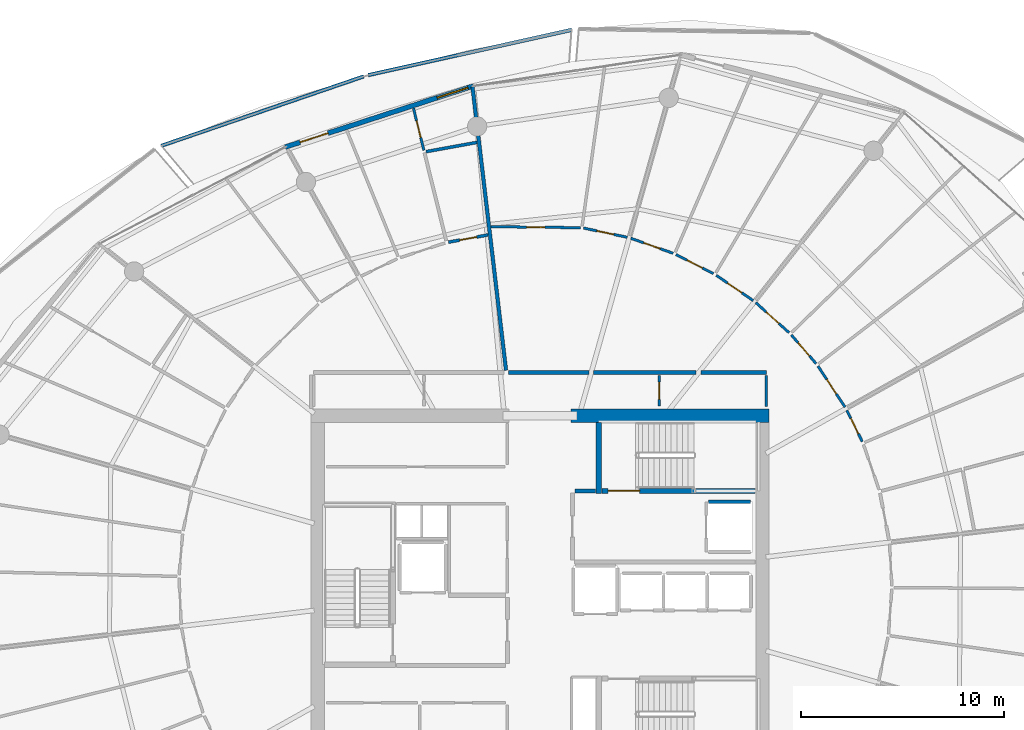
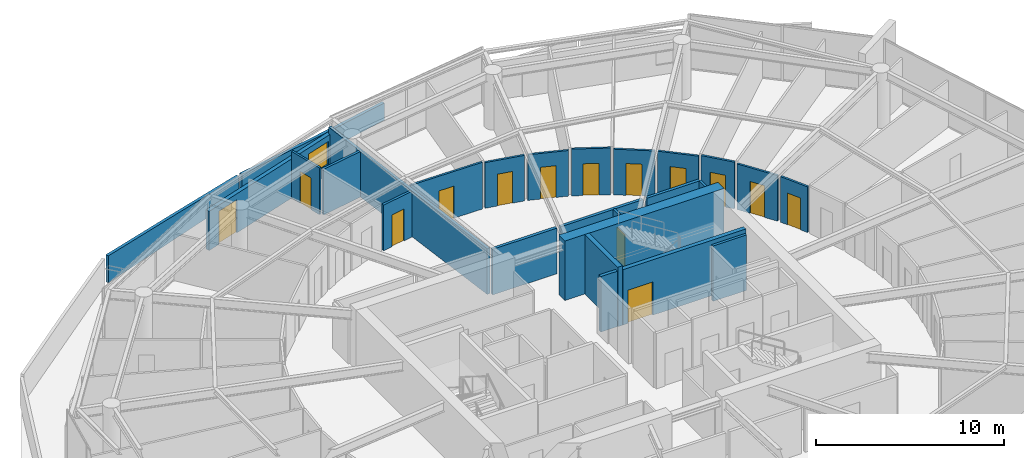
# One storey, part 22 of 30: 26 walls, 14 doors, 1 window, 15 openings.
"""IFC4 building model written with IfcOpenShell, lengths in metres."""

from ifc_helpers import new_model, si_unit, direction, frame, frame_2d, origin, place, context, subcontext, project, spatial, polyline, rectangle, outline, extrude, material, layer, layer_set, type_object, element, fill, save


model = new_model("IFC4")

# Units and contexts
model_context = context("Model", 3, precision=1e-05, world=origin(), true_north=direction((0.0, 1.0)))
body_context = subcontext(model_context, "Body", "Model", "MODEL_VIEW")
ifc_project = project(units=[si_unit("LENGTHUNIT", "METRE"), si_unit("AREAUNIT", "SQUARE_METRE"), si_unit("VOLUMEUNIT", "CUBIC_METRE"), si_unit("PLANEANGLEUNIT", "RADIAN"), si_unit("MASSUNIT", "GRAM", prefix="KILO")], contexts=[model_context])

# Site, building, storey
site_placement = place(None, origin())
site = spatial("IfcSite", under=ifc_project, at=site_placement, CompositionType="ELEMENT")
building_placement = place(site_placement, origin())
building = spatial("IfcBuilding", under=site, at=building_placement, Name="Kazma Halo Residences", CompositionType="ELEMENT")
storey_placement = place(building_placement, frame((0.0, 0.0, 267.5)))
storey = spatial("IfcBuildingStorey", under=building, at=storey_placement, Name="L67", CompositionType="ELEMENT", Elevation=267.5)

# Walls
ifc_material_1 = material(Name="White Concrete C50/60 Balustrade", Category="concrete")
ifc_layer_1 = layer(ifc_material_1, 0.179931640625)
ifc_layer_set_1 = layer_set([ifc_layer_1], Name="White Concrete C50/60 Balustrade")
wall_type_1 = type_object("IfcWallType", Name="WL-BAL-WAVE-180", PredefinedType="PARAPET", material=ifc_layer_set_1)
wall_1_placement = place(storey_placement, frame((49.98291015625, 69.327392578125, 0.0), z_axis=(0.0, 0.0, 1.0), x_axis=(-0.976130464401, -0.217184982143, 0.0)))
element("IfcWall", 1, at=wall_1_placement, inside=storey, type_object=wall_type_1, Name="L67 white wave balustrade wall NNW.1", PredefinedType="PARAPET", context=body_context, shape_type="SweptSolid", body=[
    extrude(outline(polyline([(0.0, 0.0), (10.257568359375, 0.0), (10.25732421875, 1.347900390625), (5.128662109375, 1.181884765625), (0.0, 1.1201171875), (0.0, 0.0)])), frame((0.0, 0.08984375, 0.0), z_axis=(0.0, -1.0, 0.0), x_axis=(1.0, 0.0, 0.0)), (0.0, 0.0, 1.0), 0.179931640625),
])
wall_2_placement = place(storey_placement, frame((39.73974609375, 67.034423828125, 0.0), z_axis=(0.0, 0.0, 1.0), x_axis=(-0.945994037051, -0.32418402469, 0.0)))
element("IfcWall", 2, at=wall_2_placement, inside=storey, type_object=wall_type_1, Name="L67 white wave balustrade wall NNW.2", PredefinedType="PARAPET", context=body_context, shape_type="SweptSolid", body=[
    extrude(outline(polyline([(0.0, 0.0), (10.5439453125, 0.0), (10.5439453125, 1.7470703125), (5.27197265625, 1.56201171875), (0.0, 1.347900390625), (0.0, 0.0)])), frame((0.0, 0.08984375, 0.0), z_axis=(0.0, -1.0, 0.0), x_axis=(1.0, 0.0, 0.0)), (0.0, 0.0, 1.0), 0.179931640625),
])
ifc_material_2 = material(Name="Concrete C60/75", Category="concrete")
ifc_layer_2 = layer(ifc_material_2, 0.64990234375)
ifc_layer_set_2 = layer_set([ifc_layer_2], Name="Concrete C60/75")
wall_type_2 = type_object("IfcWallType", Name="WL-CORE-650", PredefinedType="SHEAR", material=ifc_layer_set_2)
wall_3_placement = place(storey_placement, frame((49.949951171875, 50.324951171875, 0.0), z_axis=(0.0, 0.0, 1.0), x_axis=(1.0, 0.0, 0.0)))
element("IfcWall", 3, at=wall_3_placement, inside=storey, type_object=wall_type_2, Name="L67 central core shear wall NE", PredefinedType="SHEAR", context=body_context, shape_type="SweptSolid", body=[
    extrude(rectangle(XDim=9.75, YDim=0.64990234375, at=frame_2d((4.875, 0.0))), origin(), (0.0, 0.0, 1.0), 3.85009765625),
])
ifc_layer_3 = layer(ifc_material_2, 0.280029296875)
ifc_layer_set_3 = layer_set([ifc_layer_3], Name="Concrete C60/75")
wall_type_3 = type_object("IfcWallType", Name="WL-CORE-ST-280", PredefinedType="SHEAR", material=ifc_layer_set_3)
wall_4_placement = place(storey_placement, frame((51.31005859375, 46.5, 0.0), z_axis=(0.0, 0.0, 1.0), x_axis=(0.0, 1.0, 0.0)))
element("IfcWall", 4, at=wall_4_placement, inside=storey, type_object=wall_type_3, Name="L67 stairwell bearing wall ST02-W", PredefinedType="SHEAR", context=body_context, shape_type="SweptSolid", body=[
    extrude(rectangle(XDim=3.5, YDim=0.280029296875, at=frame_2d((1.75, 0.0))), origin(), (0.0, 0.0, 1.0), 3.85009765625),
])
ifc_material_3 = material(Name="Acoustic Twin-Stud Gypsum")
ifc_layer_4 = layer(ifc_material_3, 0.179931640625)
ifc_layer_set_4 = layer_set([ifc_layer_4], Name="Acoustic Twin-Stud Gypsum")
wall_type_4 = type_object("IfcWallType", Name="WL-DEM-180", PredefinedType="PARTITIONING", material=ifc_layer_set_4)
wall_5_placement = place(storey_placement, frame((46.750244140625, 52.55908203125, 0.0), z_axis=(0.0, 0.0, 1.0), x_axis=(-0.117540318076, 0.993068111273, 0.0)))
element("IfcWall", 5, at=wall_5_placement, inside=storey, type_object=wall_type_4, Name="L67 apartment demising radial wall 03", PredefinedType="PARTITIONING", context=body_context, shape_type="SweptSolid", body=[
    extrude(rectangle(XDim=14.061767578125, YDim=0.179931640625, at=frame_2d((7.03076171875, 0.0))), origin(), (0.0, 0.0, 1.0), 2.95703125),
])
wall_6_placement = place(storey_placement, frame((59.580078125, 52.449951171875, 0.0), z_axis=(0.0, 0.0, 1.0), x_axis=(-1.0, 0.0, 0.0)))
element("IfcWall", 6, at=wall_6_placement, inside=storey, type_object=wall_type_4, Name="L67 Apartment 2 inner wall 0", PredefinedType="PARTITIONING", context=body_context, shape_type="SweptSolid", body=[
    extrude(rectangle(XDim=3.221923828125, YDim=0.179931640625, at=frame_2d((1.61083984375, 0.0))), origin(), (0.0, 0.0, 1.0), 2.95703125),
])
wall_7_placement = place(storey_placement, frame((56.1181640625, 52.449951171875, 0.0), z_axis=(0.0, 0.0, 1.0), x_axis=(-1.0, 0.0, 0.0)))
element("IfcWall", 7, at=wall_7_placement, inside=storey, type_object=wall_type_4, Name="L67 Apartment 2 inner wall 1", PredefinedType="PARTITIONING", context=body_context, shape_type="SweptSolid", body=[
    extrude(rectangle(XDim=5.051025390625, YDim=0.179931640625, at=frame_2d((2.525390625, 0.0))), origin(), (0.0, 0.0, 1.0), 2.95703125),
])
wall_8_placement = place(storey_placement, frame((50.8271484375, 52.449951171875, 0.0), z_axis=(0.0, 0.0, 1.0), x_axis=(-1.0, 0.0, 0.0)))
element("IfcWall", 8, at=wall_8_placement, inside=storey, type_object=wall_type_4, Name="L67 Apartment 2 inner wall 2", PredefinedType="PARTITIONING", context=body_context, shape_type="SweptSolid", body=[
    extrude(rectangle(XDim=3.94384765625, YDim=0.179931640625, at=frame_2d((1.971923828125, 0.0))), origin(), (0.0, 0.0, 1.0), 2.95703125),
])

# Wall, openings, door, window
ifc_material_4 = material(Name="Insulated Pale-Metal Composite Wall")
ifc_layer_5 = layer(ifc_material_4, 0.239990234375)
ifc_layer_set_5 = layer_set([ifc_layer_5], Name="Insulated Pale-Metal Composite Wall")
wall_type_5 = type_object("IfcWallType", Name="WL-EXT-HOST-240", PredefinedType="SOLIDWALL", material=ifc_layer_set_5)
wall_9_placement = place(storey_placement, frame((45.14208984375, 66.563720703125, 0.0), z_axis=(0.0, 0.0, 1.0), x_axis=(-0.951055974609, -0.309018661507, 0.0)))
wall_9 = element("IfcWall", 9, at=wall_9_placement, inside=storey, type_object=wall_type_5, Name="L67 exterior terrace-access wall B04", PredefinedType="SOLIDWALL", context=body_context, shape_type="SweptSolid", body=[
    extrude(rectangle(XDim=9.745361328125, YDim=0.239990234375, at=frame_2d((4.87255859375, 0.0))), origin(), (0.0, 0.0, 1.0), 2.5400390625),
])
opening_1_placement = place(wall_9_placement, frame((7.525390625, 0.0, 0.0)))
opening_1 = element("IfcOpeningElement", 10, at=opening_1_placement, cuts=wall_9, Name="Opening DTR-1600", PredefinedType="OPENING", context=body_context, shape_type="SweptSolid", body=[
    extrude(rectangle(XDim=1.449951171875, YDim=2.14990234375, at=frame_2d((0.72509765625, 1.074951171875))), frame((0.0, 0.1298828125, 0.0), z_axis=(0.0, -1.0, 0.0), x_axis=(1.0, 0.0, 0.0)), (0.0, 0.0, 1.0), 0.260009765625),
])
opening_2_placement = place(wall_9_placement, frame((0.280029296875, 0.0, 0.64990234375)))
opening_2 = element("IfcOpeningElement", 11, at=opening_2_placement, cuts=wall_9, Name="Opening W-1800", PredefinedType="OPENING", context=body_context, shape_type="SweptSolid", body=[
    extrude(rectangle(XDim=1.60009765625, YDim=1.5, at=frame_2d((0.800048828125, 0.75))), frame((0.0, 0.1298828125, 0.0), z_axis=(0.0, -1.0, 0.0), x_axis=(1.0, 0.0, 0.0)), (0.0, 0.0, 1.0), 0.260009765625),
])
ifc_material_5 = material(Name="Aluminium AW-6063 T6 Double-Glazed Terrace Door", Category="aluminium")
door_type_1 = type_object("IfcDoorType", Name="DR-EXT-TERR-1600", OperationType="NOTDEFINED", PredefinedType="DOOR", material=ifc_material_5)
door_1_placement = place(opening_1_placement, origin())
door_1 = element("IfcDoor", 12, at=door_1_placement, inside=storey, type_object=door_type_1, Name="L67 B04 balcony terrace door", OperationType="DOUBLE_DOOR_SLIDING", OverallHeight=2.14990234375, OverallWidth=1.449951171875, PredefinedType="DOOR", context=body_context, shape_type="SweptSolid", body=[
    extrude(rectangle(XDim=1.449951171875, YDim=2.14990234375, at=frame_2d((0.72509765625, 1.074951171875))), frame((0.0, 0.02490234375, 0.0), z_axis=(0.0, -1.0, 0.0), x_axis=(1.0, 0.0, 0.0)), (0.0, 0.0, 1.0), 0.050048828125),
])
fill(opening_1, door_1)
ifc_material_6 = material(Name="Clear Triple-Silver Low-E Glass in Aluminium AW-6063 T6 Frame", Category="aluminium")
window_type = type_object("IfcWindowType", Name="WIN-RES-1800", PartitioningType="DOUBLE_PANEL_VERTICAL", PredefinedType="WINDOW", material=ifc_material_6)
window_placement = place(opening_2_placement, origin())
window = element("IfcWindow", 13, at=window_placement, inside=storey, type_object=window_type, Name="L67 B04 apartment window", OverallHeight=1.5, OverallWidth=1.60009765625, PartitioningType="SINGLE_PANEL", PredefinedType="WINDOW", context=body_context, shape_type="SweptSolid", body=[
    extrude(rectangle(XDim=1.60009765625, YDim=1.5, at=frame_2d((0.800048828125, 0.75))), frame((0.0, 0.030029296875, 0.0), z_axis=(0.0, -1.0, 0.0), x_axis=(1.0, 0.0, 0.0)), (0.0, 0.0, 1.0), 0.06005859375),
])
fill(opening_2, window)

# Walls
ifc_material_7 = material(Name="Fire-Rated Blockwork Masonry", Category="masonry")
ifc_layer_6 = layer(ifc_material_7, 0.199951171875)
ifc_layer_set_6 = layer_set([ifc_layer_6], Name="Fire-Rated Blockwork Masonry")
wall_type_6 = type_object("IfcWallType", Name="WL-FLB-200", PredefinedType="PARTITIONING", material=ifc_layer_set_6)
wall_10_placement = place(storey_placement, frame((56.719970703125, 46.080078125, 0.0), z_axis=(0.0, 0.0, 1.0), x_axis=(1.0, 0.0, 0.0)))
element("IfcWall", 14, at=wall_10_placement, inside=storey, type_object=wall_type_6, Name="L67 lift shaft FL-02 side wall N", PredefinedType="PARTITIONING", context=body_context, shape_type="SweptSolid", body=[
    extrude(rectangle(XDim=2.06005859375, YDim=0.159912109375, at=frame_2d((1.030029296875, 0.0))), origin(), (0.0, 0.0, 1.0), 3.590087890625),
])
wall_11_placement = place(storey_placement, frame((50.139892578125, 46.6201171875, 0.0), z_axis=(0.0, 0.0, 1.0), x_axis=(1.0, 0.0, 0.0)))
element("IfcWall", 15, at=wall_11_placement, inside=storey, type_object=wall_type_6, Name="L67 east firefighting lobby north closure wall", PredefinedType="PARTITIONING", context=body_context, shape_type="SweptSolid", body=[
    extrude(rectangle(XDim=1.02001953125, YDim=0.199951171875, at=frame_2d((0.510009765625, 0.0))), origin(), (0.0, 0.0, 1.0), 3.590087890625),
])
ifc_material_8 = material(Name="Gypsum Plasterboard Partition")
ifc_layer_7 = layer(ifc_material_8, 0.125)
ifc_layer_set_7 = layer_set([ifc_layer_7], Name="Gypsum Plasterboard Partition")
wall_type_7 = type_object("IfcWallType", Name="WL-PART-125", PredefinedType="PARTITIONING", material=ifc_layer_set_7)
wall_12_placement = place(storey_placement, frame((59.56005859375, 50.77001953125, 0.0), z_axis=(0.0, 0.0, 1.0), x_axis=(0.0, 1.0, 0.0)))
element("IfcWall", 16, at=wall_12_placement, inside=storey, type_object=wall_type_7, Name="L67 east cupboard end wall", PredefinedType="PARTITIONING", context=body_context, shape_type="SweptSolid", body=[
    extrude(rectangle(XDim=1.5400390625, YDim=0.125, at=frame_2d((0.77001953125, 0.0))), origin(), (0.0, 0.0, 1.0), 3.030029296875),
])

# Wall, opening, door
wall_13_placement = place(storey_placement, frame((54.2900390625, 50.7900390625, 0.0), z_axis=(0.0, 0.0, 1.0), x_axis=(0.0, 1.0, 0.0)))
wall_13 = element("IfcWall", 17, at=wall_13_placement, inside=storey, type_object=wall_type_7, Name="L67 floor metering cupboard door wall", PredefinedType="PARTITIONING", context=body_context, shape_type="SweptSolid", body=[
    extrude(rectangle(XDim=1.52001953125, YDim=0.125, at=frame_2d((0.760009765625, 0.0))), origin(), (0.0, 0.0, 1.0), 3.030029296875),
])
opening_3_placement = place(wall_13_placement, frame((0.3349609375, 0.0, 0.0)))
opening_3 = element("IfcOpeningElement", 18, at=opening_3_placement, cuts=wall_13, Name="Opening DS-850", PredefinedType="OPENING", context=body_context, shape_type="SweptSolid", body=[
    extrude(rectangle(XDim=0.85009765625, YDim=2.06005859375, at=frame_2d((0.425048828125, 1.030029296875))), frame((0.0, 0.072509765625, 0.0), z_axis=(0.0, -1.0, 0.0), x_axis=(1.0, 0.0, 0.0)), (0.0, 0.0, 1.0), 0.14501953125),
])
ifc_material_9 = material(Name="Painted Steel Access Leaf", Category="steel")
door_type_2 = type_object("IfcDoorType", Name="DR-SVC-850", OperationType="NOTDEFINED", PredefinedType="DOOR", material=ifc_material_9)
door_2_placement = place(opening_3_placement, origin())
door_2 = element("IfcDoor", 19, at=door_2_placement, inside=storey, type_object=door_type_2, Name="L67 floor cupboard door", OperationType="SINGLE_SWING_LEFT", OverallHeight=2.06005859375, OverallWidth=0.85009765625, PredefinedType="DOOR", context=body_context, shape_type="SweptSolid", body=[
    extrude(rectangle(XDim=0.85009765625, YDim=2.06005859375, at=frame_2d((0.425048828125, 1.030029296875))), frame((0.0, 0.02490234375, 0.0), z_axis=(0.0, -1.0, 0.0), x_axis=(1.0, 0.0, 0.0)), (0.0, 0.0, 1.0), 0.050048828125),
])
fill(opening_3, door_2)

wall_14_placement = place(storey_placement, frame((42.70263671875, 63.39794921875, 0.0), z_axis=(0.0, 0.0, 1.0), x_axis=(-0.240385432392, 0.970677517971, 0.0)))
wall_14 = element("IfcWall", 20, at=wall_14_placement, inside=storey, type_object=wall_type_7, Name="L67 Apartment 1 Utility Laundry Room partition wall", PredefinedType="PARTITIONING", context=body_context, shape_type="SweptSolid", body=[
    extrude(rectangle(XDim=2.137939453125, YDim=0.125, at=frame_2d((1.06884765625, 0.0))), origin(), (0.0, 0.0, 1.0), 3.030029296875),
])
opening_4_placement = place(wall_14_placement, frame((0.643798828125, 0.0, 0.0)))
opening_4 = element("IfcOpeningElement", 21, at=opening_4_placement, cuts=wall_14, Name="Opening DB-900", PredefinedType="OPENING", context=body_context, shape_type="SweptSolid", body=[
    extrude(rectangle(XDim=0.85009765625, YDim=2.06005859375, at=frame_2d((0.425048828125, 1.030029296875))), frame((0.0, 0.072509765625, 0.0), z_axis=(0.0, -1.0, 0.0), x_axis=(1.0, 0.0, 0.0)), (0.0, 0.0, 1.0), 0.14501953125),
])
ifc_material_10 = material(Name="Moisture-Sealed Timber Leaf", Category="wood")
door_type_3 = type_object("IfcDoorType", Name="DR-BTH-900", OperationType="NOTDEFINED", PredefinedType="DOOR", material=ifc_material_10)
door_3_placement = place(opening_4_placement, origin())
door_3 = element("IfcDoor", 22, at=door_3_placement, inside=storey, type_object=door_type_3, Name="L67 Apartment 1 Utility Laundry Room door", OperationType="SINGLE_SWING_RIGHT", OverallHeight=2.06005859375, OverallWidth=0.85009765625, PredefinedType="DOOR", context=body_context, shape_type="SweptSolid", body=[
    extrude(rectangle(XDim=0.85009765625, YDim=2.06005859375, at=frame_2d((0.425048828125, 1.030029296875))), frame((0.0, 0.02490234375, 0.0), z_axis=(0.0, -1.0, 0.0), x_axis=(1.0, 0.0, 0.0)), (0.0, 0.0, 1.0), 0.050048828125),
])
fill(opening_4, door_3)

wall_15_placement = place(storey_placement, frame((64.2958984375, 49.043212890625, 0.0), z_axis=(0.0, 0.0, 1.0), x_axis=(-0.441184733744, 0.897416308472, 0.0)))
wall_15 = element("IfcWall", 23, at=wall_15_placement, inside=storey, type_object=wall_type_7, Name="L67 Apartment 2 Secondary Master Bedroom hall wall", PredefinedType="PARTITIONING", context=body_context, shape_type="SweptSolid", body=[
    extrude(rectangle(XDim=1.719970703125, YDim=0.125, at=frame_2d((0.85986328125, 0.0))), origin(), (0.0, 0.0, 1.0), 2.95703125),
])
opening_5_placement = place(wall_15_placement, frame((0.43505859375, 0.0, 0.0)))
opening_5 = element("IfcOpeningElement", 24, at=opening_5_placement, cuts=wall_15, Name="Opening DB-900", PredefinedType="OPENING", context=body_context, shape_type="SweptSolid", body=[
    extrude(rectangle(XDim=0.85009765625, YDim=2.06005859375, at=frame_2d((0.425048828125, 1.030029296875))), frame((0.0, 0.072509765625, 0.0), z_axis=(0.0, -1.0, 0.0), x_axis=(1.0, 0.0, 0.0)), (0.0, 0.0, 1.0), 0.14501953125),
])
door_4_placement = place(opening_5_placement, origin())
door_4 = element("IfcDoor", 25, at=door_4_placement, inside=storey, type_object=door_type_3, Name="L67 Apartment 2 Secondary Master Bedroom door", OperationType="SINGLE_SWING_RIGHT", OverallHeight=2.06005859375, OverallWidth=0.85009765625, PredefinedType="DOOR", context=body_context, shape_type="SweptSolid", body=[
    extrude(rectangle(XDim=0.85009765625, YDim=2.06005859375, at=frame_2d((0.425048828125, 1.030029296875))), frame((0.0, 0.02490234375, 0.0), z_axis=(0.0, -1.0, 0.0), x_axis=(1.0, 0.0, 0.0)), (0.0, 0.0, 1.0), 0.050048828125),
])
fill(opening_5, door_4)

wall_16_placement = place(storey_placement, frame((63.44873046875, 50.7431640625, 0.0), z_axis=(0.0, 0.0, 1.0), x_axis=(-0.550615705096, 0.834758854581, 0.0)))
wall_16 = element("IfcWall", 26, at=wall_16_placement, inside=storey, type_object=wall_type_7, Name="L67 Apartment 2 East Master Bedroom hall wall", PredefinedType="PARTITIONING", context=body_context, shape_type="SweptSolid", body=[
    extrude(rectangle(XDim=2.417724609375, YDim=0.125, at=frame_2d((1.208984375, 0.0))), origin(), (0.0, 0.0, 1.0), 2.95703125),
])
opening_6_placement = place(wall_16_placement, frame((0.783935546875, 0.0, 0.0)))
opening_6 = element("IfcOpeningElement", 27, at=opening_6_placement, cuts=wall_16, Name="Opening DB-900", PredefinedType="OPENING", context=body_context, shape_type="SweptSolid", body=[
    extrude(rectangle(XDim=0.85009765625, YDim=2.06005859375, at=frame_2d((0.425048828125, 1.030029296875))), frame((0.0, 0.072509765625, 0.0), z_axis=(0.0, -1.0, 0.0), x_axis=(1.0, 0.0, 0.0)), (0.0, 0.0, 1.0), 0.14501953125),
])
door_5_placement = place(opening_6_placement, origin())
door_5 = element("IfcDoor", 28, at=door_5_placement, inside=storey, type_object=door_type_3, Name="L67 Apartment 2 East Master Bedroom door", OperationType="SINGLE_SWING_LEFT", OverallHeight=2.06005859375, OverallWidth=0.85009765625, PredefinedType="DOOR", context=body_context, shape_type="SweptSolid", body=[
    extrude(rectangle(XDim=0.85009765625, YDim=2.06005859375, at=frame_2d((0.425048828125, 1.030029296875))), frame((0.0, 0.02490234375, 0.0), z_axis=(0.0, -1.0, 0.0), x_axis=(1.0, 0.0, 0.0)), (0.0, 0.0, 1.0), 0.050048828125),
])
fill(opening_6, door_5)

wall_17_placement = place(storey_placement, frame((62.02099609375, 52.888671875, 0.0), z_axis=(0.0, 0.0, 1.0), x_axis=(-0.653811111284, 0.756657802947, 0.0)))
wall_17 = element("IfcWall", 29, at=wall_17_placement, inside=storey, type_object=wall_type_7, Name="L67 Apartment 2 West Study hall wall", PredefinedType="PARTITIONING", context=body_context, shape_type="SweptSolid", body=[
    extrude(rectangle(XDim=1.861083984375, YDim=0.125, at=frame_2d((0.9306640625, 0.0))), origin(), (0.0, 0.0, 1.0), 3.030029296875),
])
opening_7_placement = place(wall_17_placement, frame((0.505615234375, 0.0, 0.0)))
opening_7 = element("IfcOpeningElement", 30, at=opening_7_placement, cuts=wall_17, Name="Opening DB-900", PredefinedType="OPENING", context=body_context, shape_type="SweptSolid", body=[
    extrude(rectangle(XDim=0.85009765625, YDim=2.06005859375, at=frame_2d((0.425048828125, 1.030029296875))), frame((0.0, 0.072509765625, 0.0), z_axis=(0.0, -1.0, 0.0), x_axis=(1.0, 0.0, 0.0)), (0.0, 0.0, 1.0), 0.14501953125),
])
door_6_placement = place(opening_7_placement, origin())
door_6 = element("IfcDoor", 31, at=door_6_placement, inside=storey, type_object=door_type_3, Name="L67 Apartment 2 West Study door", OperationType="SINGLE_SWING_RIGHT", OverallHeight=2.06005859375, OverallWidth=0.85009765625, PredefinedType="DOOR", context=body_context, shape_type="SweptSolid", body=[
    extrude(rectangle(XDim=0.85009765625, YDim=2.06005859375, at=frame_2d((0.425048828125, 1.030029296875))), frame((0.0, 0.02490234375, 0.0), z_axis=(0.0, -1.0, 0.0), x_axis=(1.0, 0.0, 0.0)), (0.0, 0.0, 1.0), 0.050048828125),
])
fill(opening_7, door_6)

wall_18_placement = place(storey_placement, frame((60.6923828125, 54.410888671875, 0.0), z_axis=(0.0, 0.0, 1.0), x_axis=(-0.742216123335, 0.670160597365, 0.0)))
wall_18 = element("IfcWall", 32, at=wall_18_placement, inside=storey, type_object=wall_type_7, Name="L67 Apartment 2 North Master Bedroom hall wall", PredefinedType="PARTITIONING", context=body_context, shape_type="SweptSolid", body=[
    extrude(rectangle(XDim=2.209228515625, YDim=0.125, at=frame_2d((1.1044921875, 0.0))), origin(), (0.0, 0.0, 1.0), 2.95703125),
])
opening_8_placement = place(wall_18_placement, frame((0.6796875, 0.0, 0.0)))
opening_8 = element("IfcOpeningElement", 33, at=opening_8_placement, cuts=wall_18, Name="Opening DB-900", PredefinedType="OPENING", context=body_context, shape_type="SweptSolid", body=[
    extrude(rectangle(XDim=0.85009765625, YDim=2.06005859375, at=frame_2d((0.425048828125, 1.030029296875))), frame((0.0, 0.072509765625, 0.0), z_axis=(0.0, -1.0, 0.0), x_axis=(1.0, 0.0, 0.0)), (0.0, 0.0, 1.0), 0.14501953125),
])
door_7_placement = place(opening_8_placement, origin())
door_7 = element("IfcDoor", 34, at=door_7_placement, inside=storey, type_object=door_type_3, Name="L67 Apartment 2 North Master Bedroom door", OperationType="SINGLE_SWING_LEFT", OverallHeight=2.06005859375, OverallWidth=0.85009765625, PredefinedType="DOOR", context=body_context, shape_type="SweptSolid", body=[
    extrude(rectangle(XDim=0.85009765625, YDim=2.06005859375, at=frame_2d((0.425048828125, 1.030029296875))), frame((0.0, 0.02490234375, 0.0), z_axis=(0.0, -1.0, 0.0), x_axis=(1.0, 0.0, 0.0)), (0.0, 0.0, 1.0), 0.050048828125),
])
fill(opening_8, door_7)

wall_19_placement = place(storey_placement, frame((58.92724609375, 55.989990234375, 0.0), z_axis=(0.0, 0.0, 1.0), x_axis=(-0.824840756185, 0.565365127096, 0.0)))
wall_19 = element("IfcWall", 35, at=wall_19_placement, inside=storey, type_object=wall_type_7, Name="L67 Apartment 2 South Bedroom hall wall", PredefinedType="PARTITIONING", context=body_context, shape_type="SweptSolid", body=[
    extrude(rectangle(XDim=2.209228515625, YDim=0.125, at=frame_2d((1.1044921875, 0.0))), origin(), (0.0, 0.0, 1.0), 2.95703125),
])
opening_9_placement = place(wall_19_placement, frame((0.6796875, 0.0, 0.0)))
opening_9 = element("IfcOpeningElement", 36, at=opening_9_placement, cuts=wall_19, Name="Opening DB-900", PredefinedType="OPENING", context=body_context, shape_type="SweptSolid", body=[
    extrude(rectangle(XDim=0.85009765625, YDim=2.06005859375, at=frame_2d((0.425048828125, 1.030029296875))), frame((0.0, 0.072509765625, 0.0), z_axis=(0.0, -1.0, 0.0), x_axis=(1.0, 0.0, 0.0)), (0.0, 0.0, 1.0), 0.14501953125),
])
door_8_placement = place(opening_9_placement, origin())
door_8 = element("IfcDoor", 37, at=door_8_placement, inside=storey, type_object=door_type_3, Name="L67 Apartment 2 South Bedroom door", OperationType="SINGLE_SWING_RIGHT", OverallHeight=2.06005859375, OverallWidth=0.85009765625, PredefinedType="DOOR", context=body_context, shape_type="SweptSolid", body=[
    extrude(rectangle(XDim=0.85009765625, YDim=2.06005859375, at=frame_2d((0.425048828125, 1.030029296875))), frame((0.0, 0.02490234375, 0.0), z_axis=(0.0, -1.0, 0.0), x_axis=(1.0, 0.0, 0.0)), (0.0, 0.0, 1.0), 0.050048828125),
])
fill(opening_9, door_8)

wall_20_placement = place(storey_placement, frame((56.9677734375, 57.320556640625, 0.0), z_axis=(0.0, 0.0, 1.0), x_axis=(-0.891004388837, 0.453994690579, 0.0)))
wall_20 = element("IfcWall", 38, at=wall_20_placement, inside=storey, type_object=wall_type_7, Name="L67 Apartment 2 Inner Study hall wall", PredefinedType="PARTITIONING", context=body_context, shape_type="SweptSolid", body=[
    extrude(rectangle(XDim=2.06982421875, YDim=0.125, at=frame_2d((1.034912109375, 0.0))), origin(), (0.0, 0.0, 1.0), 3.030029296875),
])
opening_10_placement = place(wall_20_placement, frame((0.60986328125, 0.0, 0.0)))
opening_10 = element("IfcOpeningElement", 39, at=opening_10_placement, cuts=wall_20, Name="Opening DB-900", PredefinedType="OPENING", context=body_context, shape_type="SweptSolid", body=[
    extrude(rectangle(XDim=0.85009765625, YDim=2.06005859375, at=frame_2d((0.425048828125, 1.030029296875))), frame((0.0, 0.072509765625, 0.0), z_axis=(0.0, -1.0, 0.0), x_axis=(1.0, 0.0, 0.0)), (0.0, 0.0, 1.0), 0.14501953125),
])
door_9_placement = place(opening_10_placement, origin())
door_9 = element("IfcDoor", 40, at=door_9_placement, inside=storey, type_object=door_type_3, Name="L67 Apartment 2 Inner Study door", OperationType="SINGLE_SWING_LEFT", OverallHeight=2.06005859375, OverallWidth=0.85009765625, PredefinedType="DOOR", context=body_context, shape_type="SweptSolid", body=[
    extrude(rectangle(XDim=0.85009765625, YDim=2.06005859375, at=frame_2d((0.425048828125, 1.030029296875))), frame((0.0, 0.02490234375, 0.0), z_axis=(0.0, -1.0, 0.0), x_axis=(1.0, 0.0, 0.0)), (0.0, 0.0, 1.0), 0.050048828125),
])
fill(opening_10, door_9)

wall_21_placement = place(storey_placement, frame((54.976806640625, 58.323486328125, 0.0), z_axis=(0.0, 0.0, 1.0), x_axis=(-0.942218566557, 0.334998765423, 0.0)))
wall_21 = element("IfcWall", 41, at=wall_21_placement, inside=storey, type_object=wall_type_7, Name="L67 Apartment 2 Outer Bedroom hall wall", PredefinedType="PARTITIONING", context=body_context, shape_type="SweptSolid", body=[
    extrude(rectangle(XDim=2.208984375, YDim=0.125, at=frame_2d((1.1044921875, 0.0))), origin(), (0.0, 0.0, 1.0), 2.95703125),
])
opening_11_placement = place(wall_21_placement, frame((0.679443359375, 0.0, 0.0)))
opening_11 = element("IfcOpeningElement", 42, at=opening_11_placement, cuts=wall_21, Name="Opening DB-900", PredefinedType="OPENING", context=body_context, shape_type="SweptSolid", body=[
    extrude(rectangle(XDim=0.85009765625, YDim=2.06005859375, at=frame_2d((0.425048828125, 1.030029296875))), frame((0.0, 0.072509765625, 0.0), z_axis=(0.0, -1.0, 0.0), x_axis=(1.0, 0.0, 0.0)), (0.0, 0.0, 1.0), 0.14501953125),
])
door_10_placement = place(opening_11_placement, origin())
door_10 = element("IfcDoor", 43, at=door_10_placement, inside=storey, type_object=door_type_3, Name="L67 Apartment 2 Outer Bedroom door", OperationType="SINGLE_SWING_RIGHT", OverallHeight=2.06005859375, OverallWidth=0.85009765625, PredefinedType="DOOR", context=body_context, shape_type="SweptSolid", body=[
    extrude(rectangle(XDim=0.85009765625, YDim=2.06005859375, at=frame_2d((0.425048828125, 1.030029296875))), frame((0.0, 0.02490234375, 0.0), z_axis=(0.0, -1.0, 0.0), x_axis=(1.0, 0.0, 0.0)), (0.0, 0.0, 1.0), 0.050048828125),
])
fill(opening_11, door_10)

wall_22_placement = place(storey_placement, frame((52.72216796875, 59.11083984375, 0.0), z_axis=(0.0, 0.0, 1.0), x_axis=(-0.978503905914, 0.206228286399, 0.0)))
wall_22 = element("IfcWall", 44, at=wall_22_placement, inside=storey, type_object=wall_type_7, Name="L67 Apartment 2 Corner Bedroom hall wall", PredefinedType="PARTITIONING", context=body_context, shape_type="SweptSolid", body=[
    extrude(rectangle(XDim=2.203125, YDim=0.125, at=frame_2d((1.1015625, 0.0))), origin(), (0.0, 0.0, 1.0), 2.95703125),
])
opening_12_placement = place(wall_22_placement, frame((0.676513671875, 0.0, 0.0)))
opening_12 = element("IfcOpeningElement", 45, at=opening_12_placement, cuts=wall_22, Name="Opening DB-900", PredefinedType="OPENING", context=body_context, shape_type="SweptSolid", body=[
    extrude(rectangle(XDim=0.85009765625, YDim=2.06005859375, at=frame_2d((0.425048828125, 1.030029296875))), frame((0.0, 0.072509765625, 0.0), z_axis=(0.0, -1.0, 0.0), x_axis=(1.0, 0.0, 0.0)), (0.0, 0.0, 1.0), 0.14501953125),
])
door_11_placement = place(opening_12_placement, origin())
door_11 = element("IfcDoor", 46, at=door_11_placement, inside=storey, type_object=door_type_3, Name="L67 Apartment 2 Corner Bedroom door", OperationType="SINGLE_SWING_RIGHT", OverallHeight=2.06005859375, OverallWidth=0.85009765625, PredefinedType="DOOR", context=body_context, shape_type="SweptSolid", body=[
    extrude(rectangle(XDim=0.85009765625, YDim=2.06005859375, at=frame_2d((0.425048828125, 1.030029296875))), frame((0.0, 0.02490234375, 0.0), z_axis=(0.0, -1.0, 0.0), x_axis=(1.0, 0.0, 0.0)), (0.0, 0.0, 1.0), 0.050048828125),
])
fill(opening_12, door_11)

wall_23_placement = place(storey_placement, frame((50.408203125, 59.582763671875, 0.0), z_axis=(0.0, 0.0, 1.0), x_axis=(-0.999935174521, 0.01138625289, 0.0)))
wall_23 = element("IfcWall", 47, at=wall_23_placement, inside=storey, type_object=wall_type_7, Name="L67 Apartment 2 Garden Master Bedroom hall wall", PredefinedType="PARTITIONING", context=body_context, shape_type="SweptSolid", body=[
    extrude(rectangle(XDim=4.3955078125, YDim=0.125, at=frame_2d((2.19775390625, 0.0))), origin(), (0.0, 0.0, 1.0), 3.030029296875),
])
opening_13_placement = place(wall_23_placement, frame((1.747802734375, 0.0, 0.0)))
opening_13 = element("IfcOpeningElement", 48, at=opening_13_placement, cuts=wall_23, Name="Opening DI-950", PredefinedType="OPENING", context=body_context, shape_type="SweptSolid", body=[
    extrude(rectangle(XDim=0.89990234375, YDim=2.080078125, at=frame_2d((0.449951171875, 1.0400390625))), frame((0.0, 0.072509765625, 0.0), z_axis=(0.0, -1.0, 0.0), x_axis=(1.0, 0.0, 0.0)), (0.0, 0.0, 1.0), 0.14501953125),
])
ifc_material_11 = material(Name="Timber Veneer Flush Leaf", Category="wood")
door_type_4 = type_object("IfcDoorType", Name="DR-INT-950", OperationType="NOTDEFINED", PredefinedType="DOOR", material=ifc_material_11)
door_12_placement = place(opening_13_placement, origin())
door_12 = element("IfcDoor", 49, at=door_12_placement, inside=storey, type_object=door_type_4, Name="L67 Apartment 2 Garden Master Bedroom door", OperationType="SINGLE_SWING_LEFT", OverallHeight=2.080078125, OverallWidth=0.89990234375, PredefinedType="DOOR", context=body_context, shape_type="SweptSolid", body=[
    extrude(rectangle(XDim=0.89990234375, YDim=2.080078125, at=frame_2d((0.449951171875, 1.0400390625))), frame((0.0, 0.02490234375, 0.0), z_axis=(0.0, -1.0, 0.0), x_axis=(1.0, 0.0, 0.0)), (0.0, 0.0, 1.0), 0.050048828125),
])
fill(opening_13, door_12)

ifc_material_12 = material(Name="Concrete C50/60", Category="concrete")
ifc_layer_8 = layer(ifc_material_12, 0.25)
ifc_layer_set_8 = layer_set([ifc_layer_8], Name="Concrete C50/60")
wall_type_8 = type_object("IfcWallType", Name="WL-SHF-250", PredefinedType="SOLIDWALL", material=ifc_layer_set_8)
wall_24_placement = place(storey_placement, frame((51.47998046875, 46.6201171875, 0.0), z_axis=(0.0, 0.0, 1.0), x_axis=(1.0, 0.0, 0.0)))
wall_24 = element("IfcWall", 50, at=wall_24_placement, inside=storey, type_object=wall_type_8, Name="L67 exit stair ST-02 enclosure wall", PredefinedType="SOLIDWALL", context=body_context, shape_type="SweptSolid", body=[
    extrude(rectangle(XDim=7.5400390625, YDim=0.25, at=frame_2d((3.77001953125, 0.0))), origin(), (0.0, 0.0, 1.0), 3.590087890625),
])
opening_14_placement = place(wall_24_placement, frame((0.300048828125, 0.0, 0.0)))
opening_14 = element("IfcOpeningElement", 51, at=opening_14_placement, cuts=wall_24, Name="Opening D-ST2", PredefinedType="OPENING", context=body_context, shape_type="SweptSolid", body=[
    extrude(rectangle(XDim=1.550048828125, YDim=2.14990234375, at=frame_2d((0.77490234375, 1.074951171875))), frame((0.0, 0.135009765625, 0.0), z_axis=(0.0, -1.0, 0.0), x_axis=(1.0, 0.0, 0.0)), (0.0, 0.0, 1.0), 0.27001953125),
])
ifc_material_13 = material(Name="Fire-Rated Double Steel Leaf", Category="steel")
door_type_5 = type_object("IfcDoorType", Name="DR-FD90-1550", OperationType="NOTDEFINED", PredefinedType="DOOR", material=ifc_material_13)
door_13_placement = place(opening_14_placement, origin())
door_13 = element("IfcDoor", 52, at=door_13_placement, inside=storey, type_object=door_type_5, Name="L67 exit stair ST-02 fire door", OperationType="DOUBLE_DOOR_SINGLE_SWING", OverallHeight=2.14990234375, OverallWidth=1.550048828125, PredefinedType="DOOR", context=body_context, shape_type="SweptSolid", body=[
    extrude(rectangle(XDim=1.550048828125, YDim=2.14990234375, at=frame_2d((0.77490234375, 1.074951171875))), frame((0.0, 0.02490234375, 0.0), z_axis=(0.0, -1.0, 0.0), x_axis=(1.0, 0.0, 0.0)), (0.0, 0.0, 1.0), 0.050048828125),
])
fill(opening_14, door_13)

ifc_material_14 = material(Name="Moisture-Resistant Gypsum")
ifc_layer_9 = layer(ifc_material_14, 0.14990234375)
ifc_layer_set_9 = layer_set([ifc_layer_9], Name="Moisture-Resistant Gypsum")
wall_type_9 = type_object("IfcWallType", Name="WL-WET-150", PredefinedType="PARTITIONING", material=ifc_layer_set_9)
wall_25_placement = place(storey_placement, frame((45.860595703125, 59.2255859375, 0.0), z_axis=(0.0, 0.0, 1.0), x_axis=(-0.983812554945, -0.179200604723, 0.0)))
wall_25 = element("IfcWall", 53, at=wall_25_placement, inside=storey, type_object=wall_type_9, Name="L67 Apartment 1 Guest Bathroom hall wall", PredefinedType="PARTITIONING", context=body_context, shape_type="SweptSolid", body=[
    extrude(rectangle(XDim=1.976806640625, YDim=0.14990234375, at=frame_2d((0.98828125, 0.0))), origin(), (0.0, 0.0, 1.0), 2.95703125),
])
opening_15_placement = place(wall_25_placement, frame((0.5634765625, 0.0, 0.0)))
opening_15 = element("IfcOpeningElement", 54, at=opening_15_placement, cuts=wall_25, Name="Opening DB-900", PredefinedType="OPENING", context=body_context, shape_type="SweptSolid", body=[
    extrude(rectangle(XDim=0.85009765625, YDim=2.06005859375, at=frame_2d((0.425048828125, 1.030029296875))), frame((0.0, 0.0849609375, 0.0), z_axis=(0.0, -1.0, 0.0), x_axis=(1.0, 0.0, 0.0)), (0.0, 0.0, 1.0), 0.169921875),
])
door_14_placement = place(opening_15_placement, origin())
door_14 = element("IfcDoor", 55, at=door_14_placement, inside=storey, type_object=door_type_3, Name="L67 Apartment 1 Guest Bathroom door", OperationType="SINGLE_SWING_LEFT", OverallHeight=2.06005859375, OverallWidth=0.85009765625, PredefinedType="DOOR", context=body_context, shape_type="SweptSolid", body=[
    extrude(rectangle(XDim=0.85009765625, YDim=2.06005859375, at=frame_2d((0.425048828125, 1.030029296875))), frame((0.0, 0.02490234375, 0.0), z_axis=(0.0, -1.0, 0.0), x_axis=(1.0, 0.0, 0.0)), (0.0, 0.0, 1.0), 0.050048828125),
])
fill(opening_15, door_14)

# Wall
wall_26_placement = place(storey_placement, frame((45.3212890625, 63.783935546875, 0.0), z_axis=(0.0, 0.0, 1.0), x_axis=(-0.983788616277, -0.179331978422, 0.0)))
element("IfcWall", 56, at=wall_26_placement, inside=storey, type_object=wall_type_9, Name="L67 Apartment 1 Guest Bathroom back wall", PredefinedType="PARTITIONING", context=body_context, shape_type="SweptSolid", body=[
    extrude(rectangle(XDim=2.5498046875, YDim=0.14990234375, at=frame_2d((1.27490234375, 0.0))), origin(), (0.0, 0.0, 1.0), 2.95703125),
])

save(model, "model.ifc")
